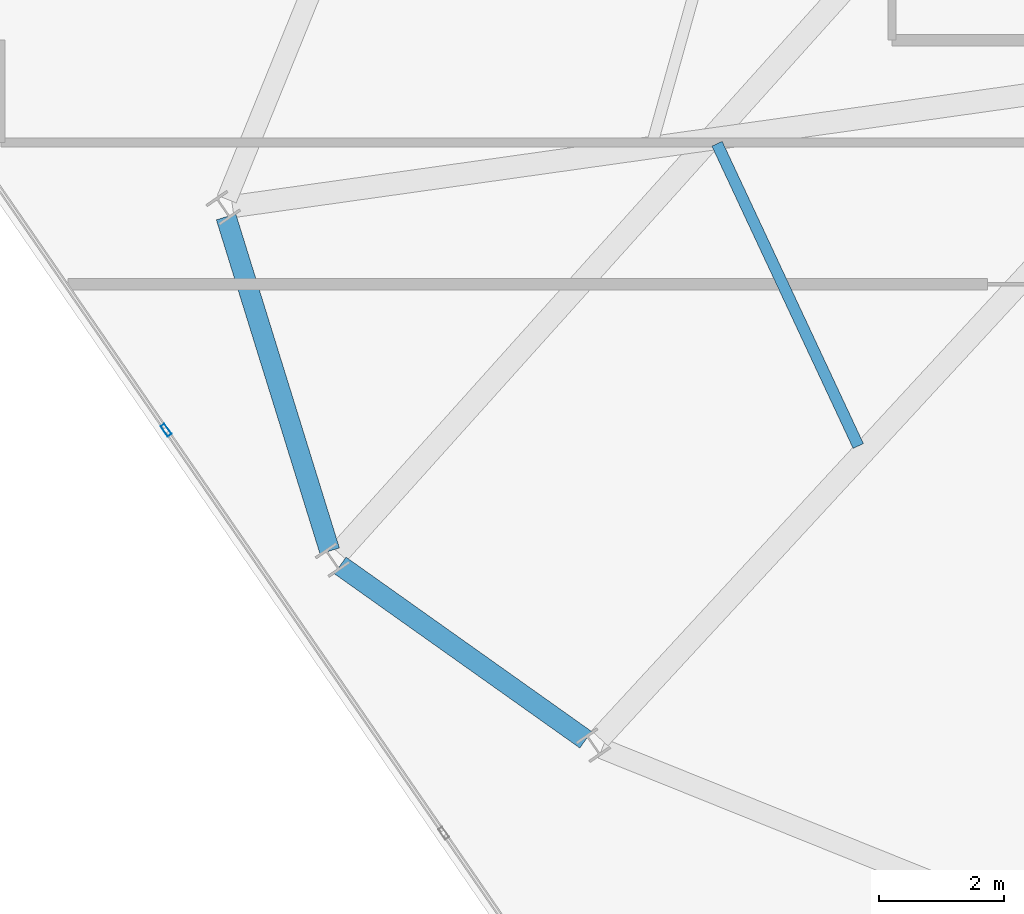
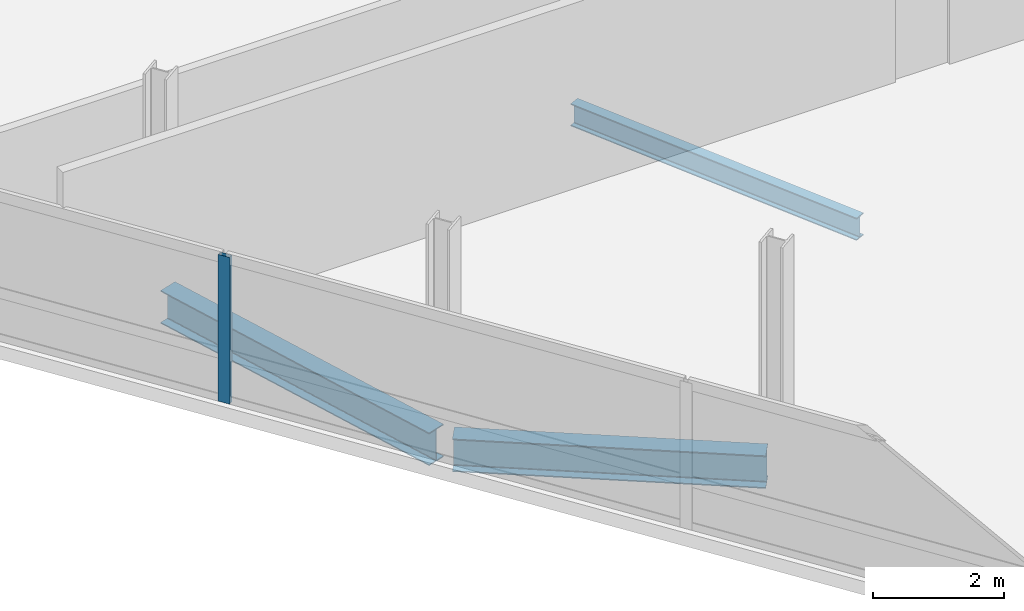
# One storey, part 5 of 21: 3 beams, 1 member, 1 element without a shape of its own.
"""IFC4 building model written with IfcOpenShell, lengths in metres."""

from ifc_helpers import new_model, si_unit, direction, frame, origin, origin_2d, place, context, subcontext, project, spatial, hollow_rectangle, i_section, extrude, material, layer, layer_set, material_profile, profile_set, type_object, element, aggregate, save


model = new_model("IFC4")

# Units and contexts
model_context = context("Model", 3, precision=1e-05, world=origin(), true_north=direction((0.0, 1.0)))
body_context = subcontext(model_context, "Body", "Model", "MODEL_VIEW")
ifc_project = project(units=[si_unit("LENGTHUNIT", "METRE"), si_unit("AREAUNIT", "SQUARE_METRE"), si_unit("VOLUMEUNIT", "CUBIC_METRE"), si_unit("PLANEANGLEUNIT", "RADIAN"), si_unit("MASSUNIT", "GRAM", prefix="KILO")], contexts=[model_context])

# Site, building, storey
site_placement = place(None, origin())
site = spatial("IfcSite", under=ifc_project, at=site_placement, CompositionType="ELEMENT")
building_placement = place(site_placement, origin())
building = spatial("IfcBuilding", under=site, at=building_placement, Name="Varnelok Gate Tower", CompositionType="ELEMENT")
storey_placement = place(building_placement, frame((0.0, 0.0, 265.60009765625)))
storey = spatial("IfcBuildingStorey", under=building, at=storey_placement, Name="L68", CompositionType="ELEMENT", Elevation=265.60009765625)

# Beams
ifc_material_1 = material(Name="Structural Steel ASTM A992 Grade 50", Category="steel")
ifc_material_profile_1 = material_profile(ifc_material_1, i_section(OverallWidth=0.180908203125, OverallDepth=0.4169921875, WebThickness=0.010986328125, FlangeThickness=0.018310546875, FilletRadius=0.013916015625, at=origin_2d()), Name="W16X57")
ifc_profile_set_1 = profile_set([ifc_material_profile_1], Name="Structural Steel ASTM A992 Grade 50")
beam_type_1 = type_object("IfcBeamType", Name="BM-JST-W16X57", PredefinedType="JOIST", material=ifc_profile_set_1)
beam_1_placement = place(storey_placement, frame((16.413330078125, 17.59033203125, -0.45849609375), z_axis=(0.423440846808, -0.905923754658, 0.0), x_axis=(0.905923754658, 0.423440846808, 0.0)))
element("IfcBeam", 1, at=beam_1_placement, inside=storey, type_object=beam_type_1, Name="L68 Sector Floor Joist 14", PredefinedType="JOIST", context=body_context, shape_type="SweptSolid", body=[
    extrude(i_section(OverallWidth=0.180908203125, OverallDepth=0.4169921875, WebThickness=0.010986328125, FlangeThickness=0.018310546875, FilletRadius=0.013916015625, at=origin_2d()), origin(), (0.0, 0.0, 1.0), 5.317626953125),
])
ifc_material_profile_2 = material_profile(ifc_material_1, i_section(OverallWidth=0.323974609375, OverallDepth=0.611083984375, WebThickness=0.0126953125, FlangeThickness=0.01904296875, FilletRadius=0.01806640625, at=origin_2d()), Name="W24X104")
ifc_profile_set_2 = profile_set([ifc_material_profile_2], Name="Structural Steel ASTM A992 Grade 50")
beam_type_2 = type_object("IfcBeamType", Name="BM-SPN-W24X104", PredefinedType="SPANDREL", material=ifc_profile_set_2)
beam_2_placement = place(storey_placement, frame((8.587646484375, 16.42529296875, -0.5556640625), z_axis=(0.296300068239, -0.955094900814, 0.0), x_axis=(0.955094900814, 0.296300068239, 0.0)))
element("IfcBeam", 2, at=beam_2_placement, inside=storey, type_object=beam_type_2, Name="L68 Perimeter Spandrel Beam 14", PredefinedType="SPANDREL", context=body_context, shape_type="SweptSolid", body=[
    extrude(i_section(OverallWidth=0.323974609375, OverallDepth=0.611083984375, WebThickness=0.0126953125, FlangeThickness=0.01904296875, FilletRadius=0.01806640625, at=origin_2d()), origin(), (0.0, 0.0, 1.0), 5.57666015625),
])
beam_3_placement = place(storey_placement, frame((10.40673828125, 10.868896484375, -0.5556640625), z_axis=(0.815431243688, -0.57885394256, 0.0), x_axis=(0.57885394256, 0.815431243688, 0.0)))
element("IfcBeam", 3, at=beam_3_placement, inside=storey, type_object=beam_type_2, Name="L68 Perimeter Spandrel Beam 15", PredefinedType="SPANDREL", context=body_context, shape_type="SweptSolid", body=[
    extrude(i_section(OverallWidth=0.323974609375, OverallDepth=0.611083984375, WebThickness=0.0126953125, FlangeThickness=0.01904296875, FilletRadius=0.01806640625, at=origin_2d()), origin(), (0.0, 0.0, 1.0), 4.7998046875),
])

# Curtain wall, member
ifc_material_2 = material(Name="Anodized Aluminum Alloy 6063-T6", Category="aluminium")
ifc_layer = layer(ifc_material_2, 0.179931640625)
ifc_layer_set = layer_set([ifc_layer], Name="Anodized Aluminum Alloy 6063-T6")
curtain_wall_type = type_object("IfcCurtainWallType", Name="CW4-RESIDENCE-VISION", PredefinedType="USERDEFINED", material=ifc_layer_set)
curtain_wall_placement = place(storey_placement, origin())
curtain_wall = element("IfcCurtainWall", 4, at=curtain_wall_placement, inside=storey, type_object=curtain_wall_type, Name="L68 West End Vision Curtain Wall", ObjectType="UNITISED CURTAIN WALL", PredefinedType="USERDEFINED")
ifc_material_profile_3 = material_profile(ifc_material_2, hollow_rectangle(XDim=0.074951171875, YDim=0.199951171875, WallThickness=0.00390625, at=origin_2d()), Name="ALU200X75X4")
ifc_profile_set_3 = profile_set([ifc_material_profile_3], Name="Anodized Aluminum Alloy 6063-T6")
member_type = type_object("IfcMemberType", Name="CW-MULL-200", PredefinedType="MULLION", material=ifc_profile_set_3)
member_placement = place(storey_placement, frame((7.631591796875, 13.0263671875, 0.0), z_axis=(0.0, 0.0, 1.0), x_axis=(-0.823532290241, -0.567269395376, 0.0)))
member = element("IfcMember", 5, at=member_placement, type_object=member_type, Name="CW4 mullion 4", PredefinedType="MULLION", context=body_context, shape_type="SweptSolid", body=[
    extrude(hollow_rectangle(XDim=0.074951171875, YDim=0.199951171875, WallThickness=0.00390625, at=origin_2d()), origin(), (0.0, 0.0, 1.0), 2.72998046875),
])
aggregate(curtain_wall, [member])

save(model, "model.ifc")
